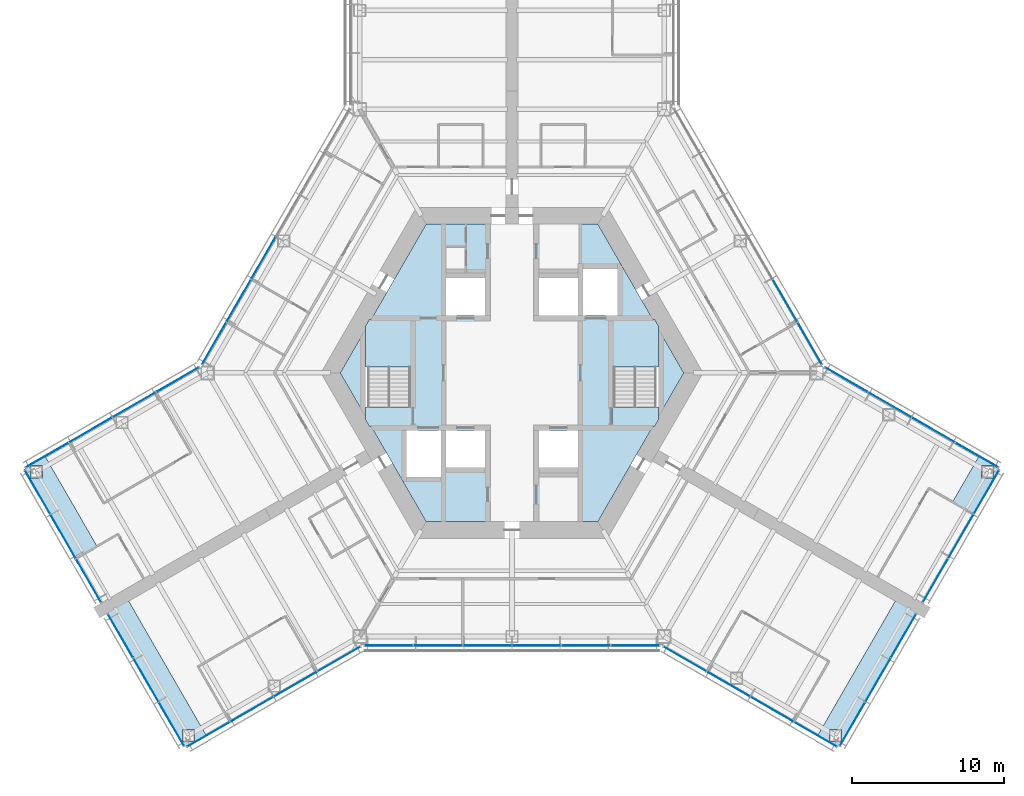
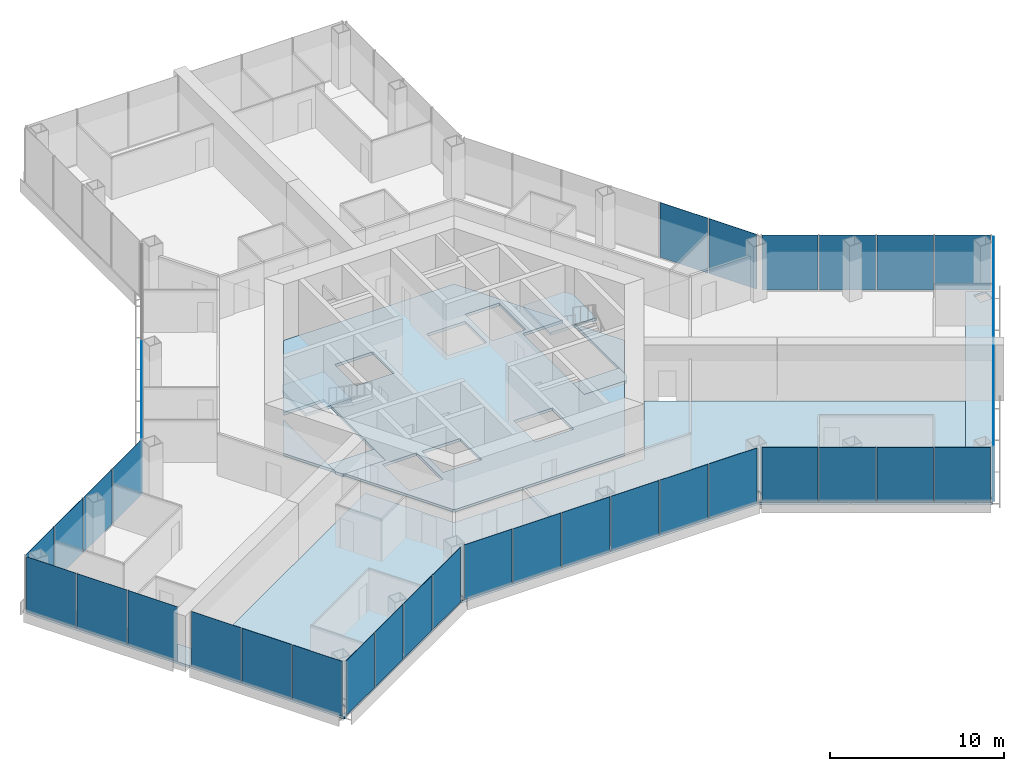
# One storey, part 10 of 18: 39 plates, 10 slabs, 13 elements without a shape of their own.
"""IFC4 building model written with IfcOpenShell, lengths in metres."""

from ifc_helpers import new_model, si_unit, direction, frame, origin, origin_2d, place, context, subcontext, project, spatial, polyline, rectangle, outline, extrude, material, layer, layer_set, type_object, element, aggregate, save


model = new_model("IFC4")

# Units and contexts
model_context = context("Model", 3, precision=1e-05, world=origin(), true_north=direction((0.0, 1.0)))
body_context = subcontext(model_context, "Body", "Model", "MODEL_VIEW")
ifc_project = project(units=[si_unit("LENGTHUNIT", "METRE"), si_unit("AREAUNIT", "SQUARE_METRE"), si_unit("VOLUMEUNIT", "CUBIC_METRE"), si_unit("PLANEANGLEUNIT", "RADIAN"), si_unit("MASSUNIT", "GRAM", prefix="KILO")], contexts=[model_context])

# Site, building, storey
site_placement = place(None, origin())
site = spatial("IfcSite", under=ifc_project, at=site_placement, CompositionType="ELEMENT")
building_placement = place(site_placement, origin())
building = spatial("IfcBuilding", under=site, at=building_placement, Name="Kasaneha Research Tower", CompositionType="ELEMENT")
storey_placement = place(building_placement, frame((0.0, 0.0, 80.699951171875)))
storey = spatial("IfcBuildingStorey", under=building, at=storey_placement, Name="L20", CompositionType="ELEMENT", Elevation=80.699951171875)

# Curtain wall, plates
ifc_material_1 = material(Name="Glass and aluminium", Category="aluminium")
curtain_wall_type = type_object("IfcCurtainWallType", Name="Low-rise office curtain wall", PredefinedType="USERDEFINED", material=ifc_material_1)
curtain_wall_1_placement = place(storey_placement, origin())
curtain_wall_1 = element("IfcCurtainWall", 1, at=curtain_wall_1_placement, inside=storey, type_object=curtain_wall_type, Name="CW-O1 L20 run 01a", ObjectType="UNITISED CURTAIN WALL", PredefinedType="USERDEFINED")
ifc_material_2 = material(Name="Laminated double glazing", Category="glass")
ifc_layer_1 = layer(ifc_material_2, 0.028076171875)
ifc_layer_set_1 = layer_set([ifc_layer_1], Name="CW-O1 glazed panel")
plate_type = type_object("IfcPlateType", Name="CW-O1 glazed panel", PredefinedType="CURTAIN_PANEL", material=ifc_layer_set_1)
plate_1_placement = place(storey_placement, frame((-19.945068359375, -23.755126953125, 0.06005859375), z_axis=(0.0, 0.0, 1.0), x_axis=(0.866025411464, 0.499999986699, 0.0)))
plate_1 = element("IfcPlate", 2, at=plate_1_placement, type_object=plate_type, Name="CW-O1 panel 1", PredefinedType="CURTAIN_PANEL", context=body_context, shape_type="SweptSolid", body=[
    extrude(rectangle(XDim=3.2197265625, YDim=0.028076171875, at=origin_2d()), origin(), (0.0, 0.0, 1.0), 3.840087890625),
])
plate_2_placement = place(storey_placement, frame((-17.091796875, -22.107666015625, 0.06005859375), z_axis=(0.0, 0.0, 1.0), x_axis=(0.866025411464, 0.499999986699, 0.0)))
plate_2 = element("IfcPlate", 3, at=plate_2_placement, type_object=plate_type, Name="CW-O1 panel 2", PredefinedType="CURTAIN_PANEL", context=body_context, shape_type="SweptSolid", body=[
    extrude(rectangle(XDim=3.249755859375, YDim=0.028076171875, at=origin_2d()), origin(), (0.0, 0.0, 1.0), 3.840087890625),
])
plate_3_placement = place(storey_placement, frame((-14.225341796875, -20.452880859375, 0.06005859375), z_axis=(0.0, 0.0, 1.0), x_axis=(0.866025411464, 0.499999986699, 0.0)))
plate_3 = element("IfcPlate", 4, at=plate_3_placement, type_object=plate_type, Name="CW-O1 panel 3", PredefinedType="CURTAIN_PANEL", context=body_context, shape_type="SweptSolid", body=[
    extrude(rectangle(XDim=3.249755859375, YDim=0.028076171875, at=origin_2d()), origin(), (0.0, 0.0, 1.0), 3.840087890625),
])
plate_4_placement = place(storey_placement, frame((-11.3720703125, -18.805419921875, 0.06005859375), z_axis=(0.0, 0.0, 1.0), x_axis=(0.866025411464, 0.499999986699, 0.0)))
plate_4 = element("IfcPlate", 5, at=plate_4_placement, type_object=plate_type, Name="CW-O1 panel 4", PredefinedType="CURTAIN_PANEL", context=body_context, shape_type="SweptSolid", body=[
    extrude(rectangle(XDim=3.2197265625, YDim=0.028076171875, at=origin_2d()), origin(), (0.0, 0.0, 1.0), 3.840087890625),
])
aggregate(curtain_wall_1, [plate_1, plate_2, plate_3, plate_4])

curtain_wall_2_placement = place(storey_placement, origin())
curtain_wall_2 = element("IfcCurtainWall", 6, at=curtain_wall_2_placement, inside=storey, type_object=curtain_wall_type, Name="CW-O1 L20 run 02a", ObjectType="UNITISED CURTAIN WALL", PredefinedType="USERDEFINED")
plate_5_placement = place(storey_placement, frame((-8.10107421875, -17.92041015625, 0.06005859375), z_axis=(0.0, 0.0, 1.0), x_axis=(1.0, 0.0, 0.0)))
plate_5 = element("IfcPlate", 7, at=plate_5_placement, type_object=plate_type, Name="CW-O1 panel 1", PredefinedType="CURTAIN_PANEL", context=body_context, shape_type="SweptSolid", body=[
    extrude(rectangle(XDim=3.156494140625, YDim=0.028076171875, at=origin_2d()), origin(), (0.0, 0.0, 1.0), 3.840087890625),
])
plate_6_placement = place(storey_placement, frame((-4.86962890625, -17.92041015625, 0.06005859375), z_axis=(0.0, 0.0, 1.0), x_axis=(1.0, 0.0, 0.0)))
plate_6 = element("IfcPlate", 8, at=plate_6_placement, type_object=plate_type, Name="CW-O1 panel 2", PredefinedType="CURTAIN_PANEL", context=body_context, shape_type="SweptSolid", body=[
    extrude(rectangle(XDim=3.1865234375, YDim=0.028076171875, at=origin_2d()), origin(), (0.0, 0.0, 1.0), 3.840087890625),
])
plate_7_placement = place(storey_placement, frame((-1.623291015625, -17.92041015625, 0.06005859375), z_axis=(0.0, 0.0, 1.0), x_axis=(1.0, 0.0, 0.0)))
plate_7 = element("IfcPlate", 9, at=plate_7_placement, type_object=plate_type, Name="CW-O1 panel 3", PredefinedType="CURTAIN_PANEL", context=body_context, shape_type="SweptSolid", body=[
    extrude(rectangle(XDim=3.1865234375, YDim=0.028076171875, at=origin_2d()), origin(), (0.0, 0.0, 1.0), 3.840087890625),
])
plate_8_placement = place(storey_placement, frame((1.623291015625, -17.92041015625, 0.06005859375), z_axis=(0.0, 0.0, 1.0), x_axis=(1.0, 0.0, 0.0)))
plate_8 = element("IfcPlate", 10, at=plate_8_placement, type_object=plate_type, Name="CW-O1 panel 4", PredefinedType="CURTAIN_PANEL", context=body_context, shape_type="SweptSolid", body=[
    extrude(rectangle(XDim=3.1865234375, YDim=0.028076171875, at=origin_2d()), origin(), (0.0, 0.0, 1.0), 3.840087890625),
])
plate_9_placement = place(storey_placement, frame((4.86962890625, -17.92041015625, 0.06005859375), z_axis=(0.0, 0.0, 1.0), x_axis=(1.0, 0.0, 0.0)))
plate_9 = element("IfcPlate", 11, at=plate_9_placement, type_object=plate_type, Name="CW-O1 panel 5", PredefinedType="CURTAIN_PANEL", context=body_context, shape_type="SweptSolid", body=[
    extrude(rectangle(XDim=3.1865234375, YDim=0.028076171875, at=origin_2d()), origin(), (0.0, 0.0, 1.0), 3.840087890625),
])
plate_10_placement = place(storey_placement, frame((8.10107421875, -17.92041015625, 0.06005859375), z_axis=(0.0, 0.0, 1.0), x_axis=(1.0, 0.0, 0.0)))
plate_10 = element("IfcPlate", 12, at=plate_10_placement, type_object=plate_type, Name="CW-O1 panel 6", PredefinedType="CURTAIN_PANEL", context=body_context, shape_type="SweptSolid", body=[
    extrude(rectangle(XDim=3.156494140625, YDim=0.028076171875, at=origin_2d()), origin(), (0.0, 0.0, 1.0), 3.840087890625),
])
aggregate(curtain_wall_2, [plate_5, plate_6, plate_7, plate_8, plate_9, plate_10])

curtain_wall_3_placement = place(storey_placement, origin())
curtain_wall_3 = element("IfcCurtainWall", 13, at=curtain_wall_3_placement, inside=storey, type_object=curtain_wall_type, Name="CW-O1 L20 run 03a", ObjectType="UNITISED CURTAIN WALL", PredefinedType="USERDEFINED")
plate_11_placement = place(storey_placement, frame((11.3720703125, -18.805419921875, 0.06005859375), z_axis=(0.0, 0.0, 1.0), x_axis=(0.866025411464, -0.499999986699, 0.0)))
plate_11 = element("IfcPlate", 14, at=plate_11_placement, type_object=plate_type, Name="CW-O1 panel 1", PredefinedType="CURTAIN_PANEL", context=body_context, shape_type="SweptSolid", body=[
    extrude(rectangle(XDim=3.2197265625, YDim=0.028076171875, at=origin_2d()), origin(), (0.0, 0.0, 1.0), 3.840087890625),
])
plate_12_placement = place(storey_placement, frame((14.225341796875, -20.452880859375, 0.06005859375), z_axis=(0.0, 0.0, 1.0), x_axis=(0.866025411464, -0.499999986699, 0.0)))
plate_12 = element("IfcPlate", 15, at=plate_12_placement, type_object=plate_type, Name="CW-O1 panel 2", PredefinedType="CURTAIN_PANEL", context=body_context, shape_type="SweptSolid", body=[
    extrude(rectangle(XDim=3.249755859375, YDim=0.028076171875, at=origin_2d()), origin(), (0.0, 0.0, 1.0), 3.840087890625),
])
plate_13_placement = place(storey_placement, frame((17.091796875, -22.107666015625, 0.06005859375), z_axis=(0.0, 0.0, 1.0), x_axis=(0.866025411464, -0.499999986699, 0.0)))
plate_13 = element("IfcPlate", 16, at=plate_13_placement, type_object=plate_type, Name="CW-O1 panel 3", PredefinedType="CURTAIN_PANEL", context=body_context, shape_type="SweptSolid", body=[
    extrude(rectangle(XDim=3.249755859375, YDim=0.028076171875, at=origin_2d()), origin(), (0.0, 0.0, 1.0), 3.840087890625),
])
plate_14_placement = place(storey_placement, frame((19.945068359375, -23.755126953125, 0.06005859375), z_axis=(0.0, 0.0, 1.0), x_axis=(0.866025411464, -0.499999986699, 0.0)))
plate_14 = element("IfcPlate", 17, at=plate_14_placement, type_object=plate_type, Name="CW-O1 panel 4", PredefinedType="CURTAIN_PANEL", context=body_context, shape_type="SweptSolid", body=[
    extrude(rectangle(XDim=3.2197265625, YDim=0.028076171875, at=origin_2d()), origin(), (0.0, 0.0, 1.0), 3.840087890625),
])
aggregate(curtain_wall_3, [plate_11, plate_12, plate_13, plate_14])

curtain_wall_4_placement = place(storey_placement, origin())
curtain_wall_4 = element("IfcCurtainWall", 18, at=curtain_wall_4_placement, inside=storey, type_object=curtain_wall_type, Name="CW-O1 L20 run 04a", ObjectType="UNITISED CURTAIN WALL", PredefinedType="USERDEFINED")
plate_15_placement = place(storey_placement, frame((22.377197265625, -23.082763671875, 0.06005859375), z_axis=(0.0, 0.0, 1.0), x_axis=(0.500000011442, 0.866025397178, 0.0)))
plate_15 = element("IfcPlate", 19, at=plate_15_placement, type_object=plate_type, Name="CW-O1 panel 1", PredefinedType="CURTAIN_PANEL", context=body_context, shape_type="SweptSolid", body=[
    extrude(rectangle(XDim=3.276611328125, YDim=0.028076171875, at=origin_2d()), origin(), (0.0, 0.0, 1.0), 3.840087890625),
])
plate_16_placement = place(storey_placement, frame((24.052978515625, -20.18017578125, 0.06005859375), z_axis=(0.0, 0.0, 1.0), x_axis=(0.500000011442, 0.866025397178, 0.0)))
plate_16 = element("IfcPlate", 20, at=plate_16_placement, type_object=plate_type, Name="CW-O1 panel 2", PredefinedType="CURTAIN_PANEL", context=body_context, shape_type="SweptSolid", body=[
    extrude(rectangle(XDim=3.306640625, YDim=0.028076171875, at=origin_2d()), origin(), (0.0, 0.0, 1.0), 3.840087890625),
])
plate_17_placement = place(storey_placement, frame((25.728759765625, -17.27734375, 0.06005859375), z_axis=(0.0, 0.0, 1.0), x_axis=(0.500000011442, 0.866025397178, 0.0)))
plate_17 = element("IfcPlate", 21, at=plate_17_placement, type_object=plate_type, Name="CW-O1 panel 3", PredefinedType="CURTAIN_PANEL", context=body_context, shape_type="SweptSolid", body=[
    extrude(rectangle(XDim=3.276611328125, YDim=0.028076171875, at=origin_2d()), origin(), (0.0, 0.0, 1.0), 3.840087890625),
])
aggregate(curtain_wall_4, [plate_15, plate_16, plate_17])

curtain_wall_5_placement = place(storey_placement, origin())
curtain_wall_5 = element("IfcCurtainWall", 22, at=curtain_wall_5_placement, inside=storey, type_object=curtain_wall_type, Name="CW-O1 L20 run 05a", ObjectType="UNITISED CURTAIN WALL", PredefinedType="USERDEFINED")
plate_18_placement = place(storey_placement, frame((27.8271484375, -13.64306640625, 0.06005859375), z_axis=(0.0, 0.0, 1.0), x_axis=(0.500000011442, 0.866025397178, 0.0)))
plate_18 = element("IfcPlate", 23, at=plate_18_placement, type_object=plate_type, Name="CW-O1 panel 1", PredefinedType="CURTAIN_PANEL", context=body_context, shape_type="SweptSolid", body=[
    extrude(rectangle(XDim=3.276611328125, YDim=0.028076171875, at=origin_2d()), origin(), (0.0, 0.0, 1.0), 3.840087890625),
])
plate_19_placement = place(storey_placement, frame((29.5029296875, -10.740478515625, 0.06005859375), z_axis=(0.0, 0.0, 1.0), x_axis=(0.500000011442, 0.866025397178, 0.0)))
plate_19 = element("IfcPlate", 24, at=plate_19_placement, type_object=plate_type, Name="CW-O1 panel 2", PredefinedType="CURTAIN_PANEL", context=body_context, shape_type="SweptSolid", body=[
    extrude(rectangle(XDim=3.306640625, YDim=0.028076171875, at=origin_2d()), origin(), (0.0, 0.0, 1.0), 3.840087890625),
])
plate_20_placement = place(storey_placement, frame((31.1787109375, -7.837890625, 0.06005859375), z_axis=(0.0, 0.0, 1.0), x_axis=(0.500000011442, 0.866025397178, 0.0)))
plate_20 = element("IfcPlate", 25, at=plate_20_placement, type_object=plate_type, Name="CW-O1 panel 3", PredefinedType="CURTAIN_PANEL", context=body_context, shape_type="SweptSolid", body=[
    extrude(rectangle(XDim=3.276611328125, YDim=0.028076171875, at=origin_2d()), origin(), (0.0, 0.0, 1.0), 3.840087890625),
])
aggregate(curtain_wall_5, [plate_18, plate_19, plate_20])

curtain_wall_6_placement = place(storey_placement, origin())
curtain_wall_6 = element("IfcCurtainWall", 26, at=curtain_wall_6_placement, inside=storey, type_object=curtain_wall_type, Name="CW-O1 L20 run 06a", ObjectType="UNITISED CURTAIN WALL", PredefinedType="USERDEFINED")
plate_21_placement = place(storey_placement, frame((30.545166015625, -5.3955078125, 0.06005859375), z_axis=(0.0, 0.0, 1.0), x_axis=(-0.866025411464, 0.499999986699, 0.0)))
plate_21 = element("IfcPlate", 27, at=plate_21_placement, type_object=plate_type, Name="CW-O1 panel 1", PredefinedType="CURTAIN_PANEL", context=body_context, shape_type="SweptSolid", body=[
    extrude(rectangle(XDim=3.2197265625, YDim=0.028076171875, at=origin_2d()), origin(), (0.0, 0.0, 1.0), 3.840087890625),
])
plate_22_placement = place(storey_placement, frame((27.69189453125, -3.748046875, 0.06005859375), z_axis=(0.0, 0.0, 1.0), x_axis=(-0.866025411464, 0.499999986699, 0.0)))
plate_22 = element("IfcPlate", 28, at=plate_22_placement, type_object=plate_type, Name="CW-O1 panel 2", PredefinedType="CURTAIN_PANEL", context=body_context, shape_type="SweptSolid", body=[
    extrude(rectangle(XDim=3.249755859375, YDim=0.028076171875, at=origin_2d()), origin(), (0.0, 0.0, 1.0), 3.840087890625),
])
plate_23_placement = place(storey_placement, frame((24.825439453125, -2.093017578125, 0.06005859375), z_axis=(0.0, 0.0, 1.0), x_axis=(-0.866025411464, 0.499999986699, 0.0)))
plate_23 = element("IfcPlate", 29, at=plate_23_placement, type_object=plate_type, Name="CW-O1 panel 3", PredefinedType="CURTAIN_PANEL", context=body_context, shape_type="SweptSolid", body=[
    extrude(rectangle(XDim=3.249755859375, YDim=0.028076171875, at=origin_2d()), origin(), (0.0, 0.0, 1.0), 3.840087890625),
])
plate_24_placement = place(storey_placement, frame((21.971923828125, -0.44580078125, 0.06005859375), z_axis=(0.0, 0.0, 1.0), x_axis=(-0.866025411464, 0.499999986699, 0.0)))
plate_24 = element("IfcPlate", 30, at=plate_24_placement, type_object=plate_type, Name="CW-O1 panel 4", PredefinedType="CURTAIN_PANEL", context=body_context, shape_type="SweptSolid", body=[
    extrude(rectangle(XDim=3.2197265625, YDim=0.028076171875, at=origin_2d()), origin(), (0.0, 0.0, 1.0), 3.840087890625),
])
aggregate(curtain_wall_6, [plate_21, plate_22, plate_23, plate_24])

curtain_wall_7_placement = place(storey_placement, origin())
curtain_wall_7 = element("IfcCurtainWall", 31, at=curtain_wall_7_placement, inside=storey, type_object=curtain_wall_type, Name="CW-O1 L20 run 07a", ObjectType="UNITISED CURTAIN WALL", PredefinedType="USERDEFINED")
plate_25_placement = place(storey_placement, frame((19.570068359375, 1.944580078125, 0.06005859375), z_axis=(0.0, 0.0, 1.0), x_axis=(-0.49999996188, 0.866025425793, 0.0)))
plate_25 = element("IfcPlate", 32, at=plate_25_placement, type_object=plate_type, Name="CW-O1 panel 1", PredefinedType="CURTAIN_PANEL", context=body_context, shape_type="SweptSolid", body=[
    extrude(rectangle(XDim=3.156494140625, YDim=0.028076171875, at=origin_2d()), origin(), (0.0, 0.0, 1.0), 3.840087890625),
])
plate_26_placement = place(storey_placement, frame((17.954345703125, 4.7431640625, 0.06005859375), z_axis=(0.0, 0.0, 1.0), x_axis=(-0.49999996188, 0.866025425793, 0.0)))
plate_26 = element("IfcPlate", 33, at=plate_26_placement, type_object=plate_type, Name="CW-O1 panel 2", PredefinedType="CURTAIN_PANEL", context=body_context, shape_type="SweptSolid", body=[
    extrude(rectangle(XDim=3.1865234375, YDim=0.028076171875, at=origin_2d()), origin(), (0.0, 0.0, 1.0), 3.840087890625),
])
aggregate(curtain_wall_7, [plate_25, plate_26])

curtain_wall_8_placement = place(storey_placement, origin())
curtain_wall_8 = element("IfcCurtainWall", 34, at=curtain_wall_8_placement, inside=storey, type_object=curtain_wall_type, Name="CW-O1 L20 run 12a", ObjectType="UNITISED CURTAIN WALL", PredefinedType="USERDEFINED")
plate_27_placement = place(storey_placement, frame((-16.331298828125, 7.554443359375, 0.06005859375), z_axis=(0.0, 0.0, 1.0), x_axis=(-0.49999996188, -0.866025425793, 0.0)))
plate_27 = element("IfcPlate", 35, at=plate_27_placement, type_object=plate_type, Name="CW-O1 panel 4", PredefinedType="CURTAIN_PANEL", context=body_context, shape_type="SweptSolid", body=[
    extrude(rectangle(XDim=3.1865234375, YDim=0.028076171875, at=origin_2d()), origin(), (0.0, 0.0, 1.0), 3.840087890625),
])
plate_28_placement = place(storey_placement, frame((-17.954345703125, 4.7431640625, 0.06005859375), z_axis=(0.0, 0.0, 1.0), x_axis=(-0.49999996188, -0.866025425793, 0.0)))
plate_28 = element("IfcPlate", 36, at=plate_28_placement, type_object=plate_type, Name="CW-O1 panel 5", PredefinedType="CURTAIN_PANEL", context=body_context, shape_type="SweptSolid", body=[
    extrude(rectangle(XDim=3.1865234375, YDim=0.028076171875, at=origin_2d()), origin(), (0.0, 0.0, 1.0), 3.840087890625),
])
plate_29_placement = place(storey_placement, frame((-19.570068359375, 1.944580078125, 0.06005859375), z_axis=(0.0, 0.0, 1.0), x_axis=(-0.49999996188, -0.866025425793, 0.0)))
plate_29 = element("IfcPlate", 37, at=plate_29_placement, type_object=plate_type, Name="CW-O1 panel 6", PredefinedType="CURTAIN_PANEL", context=body_context, shape_type="SweptSolid", body=[
    extrude(rectangle(XDim=3.156494140625, YDim=0.028076171875, at=origin_2d()), origin(), (0.0, 0.0, 1.0), 3.840087890625),
])
aggregate(curtain_wall_8, [plate_27, plate_28, plate_29])

curtain_wall_9_placement = place(storey_placement, origin())
curtain_wall_9 = element("IfcCurtainWall", 38, at=curtain_wall_9_placement, inside=storey, type_object=curtain_wall_type, Name="CW-O1 L20 run 13a", ObjectType="UNITISED CURTAIN WALL", PredefinedType="USERDEFINED")
plate_30_placement = place(storey_placement, frame((-21.971923828125, -0.44580078125, 0.06005859375), z_axis=(0.0, 0.0, 1.0), x_axis=(-0.866025411464, -0.499999986699, 0.0)))
plate_30 = element("IfcPlate", 39, at=plate_30_placement, type_object=plate_type, Name="CW-O1 panel 1", PredefinedType="CURTAIN_PANEL", context=body_context, shape_type="SweptSolid", body=[
    extrude(rectangle(XDim=3.2197265625, YDim=0.028076171875, at=origin_2d()), origin(), (0.0, 0.0, 1.0), 3.840087890625),
])
plate_31_placement = place(storey_placement, frame((-24.825439453125, -2.093017578125, 0.06005859375), z_axis=(0.0, 0.0, 1.0), x_axis=(-0.866025411464, -0.499999986699, 0.0)))
plate_31 = element("IfcPlate", 40, at=plate_31_placement, type_object=plate_type, Name="CW-O1 panel 2", PredefinedType="CURTAIN_PANEL", context=body_context, shape_type="SweptSolid", body=[
    extrude(rectangle(XDim=3.249755859375, YDim=0.028076171875, at=origin_2d()), origin(), (0.0, 0.0, 1.0), 3.840087890625),
])
plate_32_placement = place(storey_placement, frame((-27.69189453125, -3.748046875, 0.06005859375), z_axis=(0.0, 0.0, 1.0), x_axis=(-0.866025411464, -0.499999986699, 0.0)))
plate_32 = element("IfcPlate", 41, at=plate_32_placement, type_object=plate_type, Name="CW-O1 panel 3", PredefinedType="CURTAIN_PANEL", context=body_context, shape_type="SweptSolid", body=[
    extrude(rectangle(XDim=3.249755859375, YDim=0.028076171875, at=origin_2d()), origin(), (0.0, 0.0, 1.0), 3.840087890625),
])
plate_33_placement = place(storey_placement, frame((-30.545166015625, -5.3955078125, 0.06005859375), z_axis=(0.0, 0.0, 1.0), x_axis=(-0.866025411464, -0.499999986699, 0.0)))
plate_33 = element("IfcPlate", 42, at=plate_33_placement, type_object=plate_type, Name="CW-O1 panel 4", PredefinedType="CURTAIN_PANEL", context=body_context, shape_type="SweptSolid", body=[
    extrude(rectangle(XDim=3.2197265625, YDim=0.028076171875, at=origin_2d()), origin(), (0.0, 0.0, 1.0), 3.840087890625),
])
aggregate(curtain_wall_9, [plate_30, plate_31, plate_32, plate_33])

curtain_wall_10_placement = place(storey_placement, origin())
curtain_wall_10 = element("IfcCurtainWall", 43, at=curtain_wall_10_placement, inside=storey, type_object=curtain_wall_type, Name="CW-O1 L20 run 14a", ObjectType="UNITISED CURTAIN WALL", PredefinedType="USERDEFINED")
plate_34_placement = place(storey_placement, frame((-31.1787109375, -7.837890625, 0.06005859375), z_axis=(0.0, 0.0, 1.0), x_axis=(0.500000011442, -0.866025397178, 0.0)))
plate_34 = element("IfcPlate", 44, at=plate_34_placement, type_object=plate_type, Name="CW-O1 panel 1", PredefinedType="CURTAIN_PANEL", context=body_context, shape_type="SweptSolid", body=[
    extrude(rectangle(XDim=3.276611328125, YDim=0.028076171875, at=origin_2d()), origin(), (0.0, 0.0, 1.0), 3.840087890625),
])
plate_35_placement = place(storey_placement, frame((-29.5029296875, -10.740478515625, 0.06005859375), z_axis=(0.0, 0.0, 1.0), x_axis=(0.500000011442, -0.866025397178, 0.0)))
plate_35 = element("IfcPlate", 45, at=plate_35_placement, type_object=plate_type, Name="CW-O1 panel 2", PredefinedType="CURTAIN_PANEL", context=body_context, shape_type="SweptSolid", body=[
    extrude(rectangle(XDim=3.306640625, YDim=0.028076171875, at=origin_2d()), origin(), (0.0, 0.0, 1.0), 3.840087890625),
])
plate_36_placement = place(storey_placement, frame((-27.8271484375, -13.64306640625, 0.06005859375), z_axis=(0.0, 0.0, 1.0), x_axis=(0.500000011442, -0.866025397178, 0.0)))
plate_36 = element("IfcPlate", 46, at=plate_36_placement, type_object=plate_type, Name="CW-O1 panel 3", PredefinedType="CURTAIN_PANEL", context=body_context, shape_type="SweptSolid", body=[
    extrude(rectangle(XDim=3.276611328125, YDim=0.028076171875, at=origin_2d()), origin(), (0.0, 0.0, 1.0), 3.840087890625),
])
aggregate(curtain_wall_10, [plate_34, plate_35, plate_36])

curtain_wall_11_placement = place(storey_placement, origin())
curtain_wall_11 = element("IfcCurtainWall", 47, at=curtain_wall_11_placement, inside=storey, type_object=curtain_wall_type, Name="CW-O1 L20 run 15a", ObjectType="UNITISED CURTAIN WALL", PredefinedType="USERDEFINED")
plate_37_placement = place(storey_placement, frame((-25.728759765625, -17.27734375, 0.06005859375), z_axis=(0.0, 0.0, 1.0), x_axis=(0.500000011442, -0.866025397178, 0.0)))
plate_37 = element("IfcPlate", 48, at=plate_37_placement, type_object=plate_type, Name="CW-O1 panel 1", PredefinedType="CURTAIN_PANEL", context=body_context, shape_type="SweptSolid", body=[
    extrude(rectangle(XDim=3.276611328125, YDim=0.028076171875, at=origin_2d()), origin(), (0.0, 0.0, 1.0), 3.840087890625),
])
plate_38_placement = place(storey_placement, frame((-24.052978515625, -20.18017578125, 0.06005859375), z_axis=(0.0, 0.0, 1.0), x_axis=(0.500000011442, -0.866025397178, 0.0)))
plate_38 = element("IfcPlate", 49, at=plate_38_placement, type_object=plate_type, Name="CW-O1 panel 2", PredefinedType="CURTAIN_PANEL", context=body_context, shape_type="SweptSolid", body=[
    extrude(rectangle(XDim=3.306640625, YDim=0.028076171875, at=origin_2d()), origin(), (0.0, 0.0, 1.0), 3.840087890625),
])
plate_39_placement = place(storey_placement, frame((-22.377197265625, -23.082763671875, 0.06005859375), z_axis=(0.0, 0.0, 1.0), x_axis=(0.500000011442, -0.866025397178, 0.0)))
plate_39 = element("IfcPlate", 50, at=plate_39_placement, type_object=plate_type, Name="CW-O1 panel 3", PredefinedType="CURTAIN_PANEL", context=body_context, shape_type="SweptSolid", body=[
    extrude(rectangle(XDim=3.276611328125, YDim=0.028076171875, at=origin_2d()), origin(), (0.0, 0.0, 1.0), 3.840087890625),
])
aggregate(curtain_wall_11, [plate_37, plate_38, plate_39])

# Slabs
ifc_material_3 = material(Name="Concrete Fc24", Category="concrete")
ifc_layer_2 = layer(ifc_material_3, 0.199951171875)
ifc_layer_set_2 = layer_set([ifc_layer_2], Name="Core floor slab 200")
slab_type_1 = type_object("IfcSlabType", Name="Core floor slab 200", PredefinedType="FLOOR", material=ifc_layer_set_2)
slab_1_placement = place(storey_placement, frame((0.0, 0.0, -0.199951171875)))
element("IfcSlab", 51, at=slab_1_placement, inside=storey, type_object=slab_type_1, Name="Core slab L20", PredefinedType="FLOOR", context=body_context, shape_type="SweptSolid", body=[
    extrude(outline(polyline([(-11.287109375, 0.0), (-9.625, 2.87890625), (-9.625, -2.87890625), (-11.287109375, 0.0)])), origin(), (0.0, 0.0, 1.0), 0.199951171875),
])
slab_2_placement = place(storey_placement, frame((0.0, 0.0, -0.199951171875)))
element("IfcSlab", 52, at=slab_2_placement, inside=storey, type_object=slab_type_1, Name="Core slab L20", PredefinedType="FLOOR", context=body_context, shape_type="SweptSolid", body=[
    extrude(outline(polyline([(-5.6435546875, 9.77490234375), (5.6435546875, 9.77490234375), (9.251953125, 3.52490234375), (6.574951171875, 3.52490234375), (6.574951171875, -3.52490234375), (9.251953125, -3.52490234375), (5.6435546875, -9.77490234375), (-5.6435546875, -9.77490234375), (-9.251953125, -3.52490234375), (-6.574951171875, -3.52490234375), (-6.574951171875, 3.52490234375), (-9.251953125, 3.52490234375), (-5.6435546875, 9.77490234375)]), holes=[polyline([(-6.925048828125, -3.77490234375), (-6.925048828125, -6.824951171875), (-4.675048828125, -6.824951171875), (-4.675048828125, -3.77490234375), (-6.925048828125, -3.77490234375)]), polyline([(-4.324951171875, -3.77490234375), (-4.324951171875, -6.22509765625), (-1.77490234375, -6.22509765625), (-1.77490234375, -3.77490234375), (-4.324951171875, -3.77490234375)]), polyline([(1.77490234375, -3.77490234375), (1.77490234375, -6.22509765625), (4.324951171875, -6.22509765625), (4.324951171875, -3.77490234375), (1.77490234375, -3.77490234375)]), polyline([(-4.324951171875, 6.22509765625), (-4.324951171875, 3.77490234375), (-1.77490234375, 3.77490234375), (-1.77490234375, 6.22509765625), (-4.324951171875, 6.22509765625)]), polyline([(1.77490234375, 6.22509765625), (1.77490234375, 3.77490234375), (4.324951171875, 3.77490234375), (4.324951171875, 6.22509765625), (1.77490234375, 6.22509765625)]), polyline([(4.675048828125, 6.824951171875), (4.675048828125, 3.77490234375), (6.925048828125, 3.77490234375), (6.925048828125, 6.824951171875), (4.675048828125, 6.824951171875)])]), origin(), (0.0, 0.0, 1.0), 0.199951171875),
])
slab_3_placement = place(storey_placement, frame((0.0, 0.0, -0.199951171875)))
element("IfcSlab", 53, at=slab_3_placement, inside=storey, type_object=slab_type_1, Name="Core slab L20", PredefinedType="FLOOR", context=body_context, shape_type="SweptSolid", body=[
    extrude(outline(polyline([(11.287109375, 0.0), (9.625, -2.87890625), (9.625, 2.87890625), (11.287109375, 0.0)])), origin(), (0.0, 0.0, 1.0), 0.199951171875),
])
ifc_material_4 = material(Name="Concrete Fc24", Category="concrete")
ifc_layer_3 = layer(ifc_material_4, 0.14990234375)
ifc_layer_set_3 = layer_set([ifc_layer_3], Name="Floor slab 150")
slab_type_2 = type_object("IfcSlabType", Name="Floor slab 150", PredefinedType="FLOOR", material=ifc_layer_set_3)
slab_4_placement = place(storey_placement, frame((0.0, 0.0, -0.14990234375)))
element("IfcSlab", 54, at=slab_4_placement, inside=storey, type_object=slab_type_2, Name="Floor slab L20 1", PredefinedType="FLOOR", context=body_context, shape_type="SweptSolid", body=[
    extrude(outline(polyline([(-25.1923828125, -15.006591796875), (-25.18359375, -15.001708984375), (-20.108642578125, -23.791748046875), (-21.459716796875, -24.57177734375), (-21.65576171875, -24.232177734375), (-21.644287109375, -24.220703125), (-20.858154296875, -24.220703125), (-20.858154296875, -23.42041015625), (-21.658447265625, -23.42041015625), (-21.658447265625, -24.20654296875), (-21.666015625, -24.214111328125), (-31.65576171875, -6.91162109375), (-31.644287109375, -6.900146484375), (-30.858154296875, -6.900146484375), (-30.858154296875, -6.099853515625), (-31.658447265625, -6.099853515625), (-31.658447265625, -6.885986328125), (-31.666015625, -6.8935546875), (-32.009521484375, -6.298583984375), (-30.65869140625, -5.518798828125), (-25.583740234375, -14.308837890625), (-25.59228515625, -14.313720703125), (-25.1923828125, -15.006591796875)])), origin(), (0.0, 0.0, 1.0), 0.14990234375),
])
slab_5_placement = place(storey_placement, frame((0.0, 0.0, -0.14990234375)))
element("IfcSlab", 55, at=slab_5_placement, inside=storey, type_object=slab_type_2, Name="Floor slab L20 4", PredefinedType="FLOOR", context=body_context, shape_type="SweptSolid", body=[
    extrude(outline(polyline([(-6.278564453125, -10.875), (6.278564453125, -10.875), (9.218017578125, -5.783935546875), (25.18359375, -15.001708984375), (20.108642578125, -23.791748046875), (14.369384765625, -20.478271484375), (14.377197265625, -20.470703125), (15.163330078125, -20.470703125), (15.163330078125, -19.67041015625), (14.363037109375, -19.67041015625), (14.363037109375, -20.45654296875), (14.3515625, -20.468017578125), (9.8525390625, -17.87060546875), (-9.8525390625, -17.87060546875), (-15.217529296875, -20.968017578125), (-15.22900390625, -20.95654296875), (-15.22900390625, -20.17041015625), (-16.029296875, -20.17041015625), (-16.029296875, -20.970703125), (-15.2431640625, -20.970703125), (-15.235595703125, -20.978271484375), (-20.108642578125, -23.791748046875), (-25.18359375, -15.001708984375), (-9.218017578125, -5.783935546875), (-6.278564453125, -10.875)]), holes=[polyline([(0.39990234375, -17.720458984375), (0.39990234375, -16.92041015625), (-0.39990234375, -16.92041015625), (-0.39990234375, -17.720458984375), (0.39990234375, -17.720458984375)]), polyline([(-9.550048828125, -16.87060546875), (-10.449951171875, -16.87060546875), (-10.449951171875, -17.7705078125), (-9.550048828125, -17.7705078125), (-9.550048828125, -16.87060546875)]), polyline([(10.449951171875, -16.87060546875), (9.550048828125, -16.87060546875), (9.550048828125, -17.7705078125), (10.449951171875, -17.7705078125), (10.449951171875, -16.87060546875)])]), origin(), (0.0, 0.0, 1.0), 0.14990234375),
])
slab_6_placement = place(storey_placement, frame((0.0, 0.0, -0.14990234375)))
element("IfcSlab", 56, at=slab_6_placement, inside=storey, type_object=slab_type_2, Name="Floor slab L20 6", PredefinedType="FLOOR", context=body_context, shape_type="SweptSolid", body=[
    extrude(outline(polyline([(25.1923828125, -15.006591796875), (25.59228515625, -14.313720703125), (25.583740234375, -14.308837890625), (30.65869140625, -5.518798828125), (32.009521484375, -6.298583984375), (31.666015625, -6.8935546875), (31.658447265625, -6.885986328125), (31.658447265625, -6.099853515625), (30.858154296875, -6.099853515625), (30.858154296875, -6.900146484375), (31.644287109375, -6.900146484375), (31.65576171875, -6.91162109375), (21.666015625, -24.214111328125), (21.658447265625, -24.20654296875), (21.658447265625, -23.42041015625), (20.858154296875, -23.42041015625), (20.858154296875, -24.220703125), (21.644287109375, -24.220703125), (21.65576171875, -24.232177734375), (21.459716796875, -24.57177734375), (20.108642578125, -23.791748046875), (25.18359375, -15.001708984375), (25.1923828125, -15.006591796875)])), origin(), (0.0, 0.0, 1.0), 0.14990234375),
])

# Stair, slabs
ifc_material_5 = material(Name="Concrete Fc24", Category="concrete")
stair_type = type_object("IfcStairType", Name="Half-turn stair 22 risers", PredefinedType="HALF_TURN_STAIR", material=ifc_material_5)
stair_1_placement = place(storey_placement, origin())
stair_1 = element("IfcStair", 57, at=stair_1_placement, inside=storey, type_object=stair_type, Name="Stair 1 L20", PredefinedType="HALF_TURN_STAIR")
ifc_material_6 = material(Name="Concrete Fc24", Category="concrete")
ifc_layer_4 = layer(ifc_material_6, 0.199951171875)
ifc_layer_set_4 = layer_set([ifc_layer_4], Name="Stair 1 landing 200")
slab_type_3 = type_object("IfcSlabType", Name="Stair 1 landing 200", PredefinedType="LANDING", material=ifc_layer_set_4)
slab_7_placement = place(storey_placement, frame((0.0, 0.0, -0.199951171875)))
slab_7 = element("IfcSlab", 58, at=slab_7_placement, type_object=slab_type_3, Name="ST1-22R landing 1", PredefinedType="LANDING", context=body_context, shape_type="SweptSolid", body=[
    extrude(outline(polyline([(9.367431640625, -3.52490234375), (6.574951171875, -3.52490234375), (6.574951171875, -2.22509765625), (9.625, -2.22509765625), (9.625, -3.0791015625), (9.367431640625, -3.52490234375)])), origin(), (0.0, 0.0, 1.0), 0.199951171875),
])
slab_8_placement = place(storey_placement, frame((0.0, 0.0, 1.75)))
slab_8 = element("IfcSlab", 59, at=slab_8_placement, type_object=slab_type_3, Name="ST1-22R landing 2", PredefinedType="LANDING", context=body_context, shape_type="SweptSolid", body=[
    extrude(outline(polyline([(6.574951171875, 3.52490234375), (9.367431640625, 3.52490234375), (9.625, 3.0791015625), (9.625, 0.375), (6.574951171875, 0.375), (6.574951171875, 3.52490234375)])), origin(), (0.0, 0.0, 1.0), 0.199951171875),
])
aggregate(stair_1, [slab_7, slab_8])

stair_2_placement = place(storey_placement, origin())
stair_2 = element("IfcStair", 60, at=stair_2_placement, inside=storey, type_object=stair_type, Name="Stair 2 L20", PredefinedType="HALF_TURN_STAIR")
ifc_material_7 = material(Name="Concrete Fc24", Category="concrete")
ifc_layer_5 = layer(ifc_material_7, 0.199951171875)
ifc_layer_set_5 = layer_set([ifc_layer_5], Name="Stair 2 landing 200")
slab_type_4 = type_object("IfcSlabType", Name="Stair 2 landing 200", PredefinedType="LANDING", material=ifc_layer_set_5)
slab_9_placement = place(storey_placement, frame((0.0, 0.0, -0.199951171875)))
slab_9 = element("IfcSlab", 61, at=slab_9_placement, type_object=slab_type_4, Name="ST2-22R landing 1", PredefinedType="LANDING", context=body_context, shape_type="SweptSolid", body=[
    extrude(outline(polyline([(-6.574951171875, -3.52490234375), (-9.367431640625, -3.52490234375), (-9.625, -3.0791015625), (-9.625, -2.22509765625), (-6.574951171875, -2.22509765625), (-6.574951171875, -3.52490234375)])), origin(), (0.0, 0.0, 1.0), 0.199951171875),
])
slab_10_placement = place(storey_placement, frame((0.0, 0.0, 1.75)))
slab_10 = element("IfcSlab", 62, at=slab_10_placement, type_object=slab_type_4, Name="ST2-22R landing 2", PredefinedType="LANDING", context=body_context, shape_type="SweptSolid", body=[
    extrude(outline(polyline([(-6.574951171875, 0.375), (-9.625, 0.375), (-9.625, 3.0791015625), (-9.367431640625, 3.52490234375), (-6.574951171875, 3.52490234375), (-6.574951171875, 0.375)])), origin(), (0.0, 0.0, 1.0), 0.199951171875),
])
aggregate(stair_2, [slab_9, slab_10])

save(model, "model.ifc")
